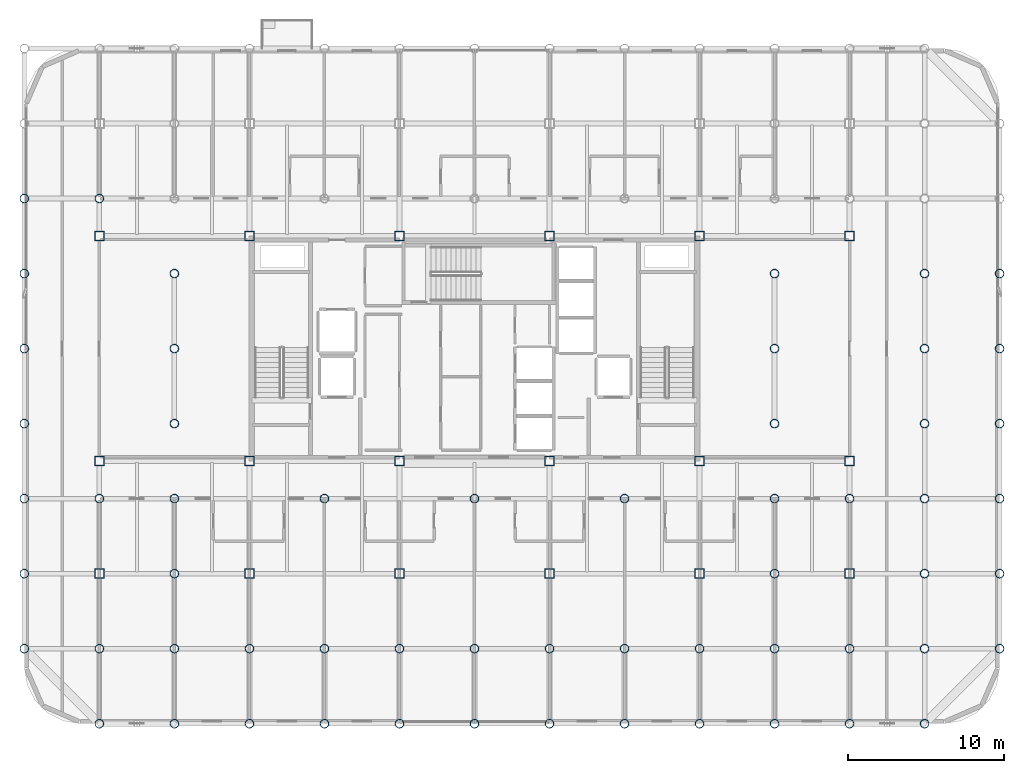
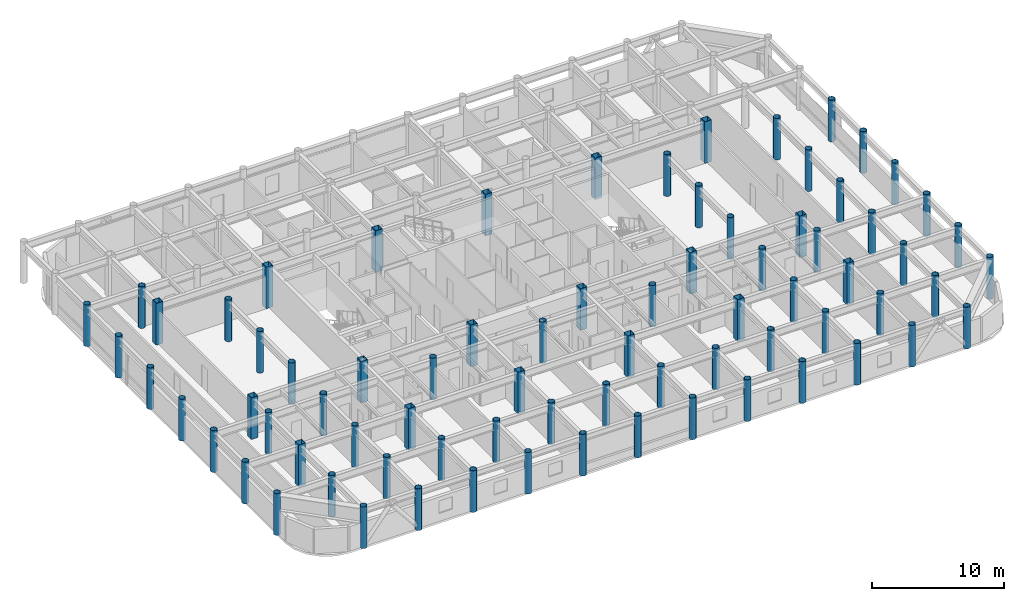
# One storey, part 1 of 23: 76 columns.
"""IFC4 building model written with IfcOpenShell, lengths in metres."""

from ifc_helpers import new_model, si_unit, direction, frame, origin, origin_2d, place, context, subcontext, project, spatial, hollow_rectangle, hollow_circle, extrude, material, material_profile, profile_set, type_object, element, save


model = new_model("IFC4")

# Units and contexts
model_context = context("Model", 3, precision=1e-05, world=origin(), true_north=direction((0.0, 1.0)))
body_context = subcontext(model_context, "Body", "Model", "MODEL_VIEW")
ifc_project = project(units=[si_unit("LENGTHUNIT", "METRE"), si_unit("AREAUNIT", "SQUARE_METRE"), si_unit("VOLUMEUNIT", "CUBIC_METRE"), si_unit("PLANEANGLEUNIT", "RADIAN"), si_unit("MASSUNIT", "GRAM", prefix="KILO")], contexts=[model_context])

# Site, building, storey
site_placement = place(None, origin())
site = spatial("IfcSite", under=ifc_project, at=site_placement, CompositionType="ELEMENT")
building_placement = place(site_placement, origin())
building = spatial("IfcBuilding", under=site, at=building_placement, Name="Kallvorn Hotel Tower", CompositionType="ELEMENT")
storey_placement = place(building_placement, frame((0.0, 0.0, 195.35009765625)))
storey = spatial("IfcBuildingStorey", under=building, at=storey_placement, Name="L48", CompositionType="ELEMENT", Elevation=195.35009765625)

# Columns
ifc_material_1 = material(Name="Structural steel S355J2H", Category="steel")
ifc_material_profile_1 = material_profile(ifc_material_1, hollow_circle(Radius=0.279541015625, WallThickness=0.02490234375, at=origin_2d()), Name="CHS 559x25")
ifc_profile_set_1 = profile_set([ifc_material_profile_1], Name="Structural steel S355J2H")
column_type_1 = type_object("IfcColumnType", Name="COL_CHS_559", PredefinedType="COLUMN", material=ifc_profile_set_1)
for number, where, z_axis, x_axis, name in (
    (1, (-28.800048828125, -19.199951171875, 0.0), (0.0, 0.0, 1.0), (1.0, 0.0, 0.0), "L48 Exoskeleton Column EC01"),
    (2, (-28.800048828125, -14.39990234375, 0.0), (0.0, 0.0, 1.0), (1.0, 0.0, 0.0), "L48 Exoskeleton Column EC02"),
    (3, (-28.800048828125, -9.60009765625, 0.0), (0.0, 0.0, 1.0), (1.0, 0.0, 0.0), "L48 Exoskeleton Column EC03"),
    (4, (-28.800048828125, -4.800048828125, 0.0), (0.0, 0.0, 1.0), (1.0, 0.0, 0.0), "L48 Exoskeleton Column EC04"),
    (5, (-28.800048828125, 0.0, 0.0), (0.0, 0.0, 1.0), (1.0, 0.0, 0.0), "L48 Exoskeleton Column EC05"),
    (6, (-28.800048828125, 4.800048828125, 0.0), (0.0, 0.0, 1.0), (1.0, 0.0, 0.0), "L48 Exoskeleton Column EC06"),
    (7, (-28.800048828125, 9.60009765625, 0.0), (0.0, 0.0, 1.0), (1.0, 0.0, 0.0), "L48 Exoskeleton Column EC07"),
    (8, (-24.0, -24.0, 0.0), (0.0, 0.0, 1.0), (1.0, 0.0, 0.0), "L48 Exoskeleton Column EC10"),
    (9, (-24.0, -19.199951171875, 0.0), (0.0, 0.0, 1.0), (1.0, 0.0, 0.0), "L48 Exoskeleton Column EC11"),
    (10, (-24.0, -9.60009765625, 0.0), (0.0, 0.0, 1.0), (1.0, 0.0, 0.0), "L48 Exoskeleton Column EC12"),
    (11, (-24.0, 9.60009765625, 0.0), (0.0, 0.0, 1.0), (1.0, 0.0, 0.0), "L48 Exoskeleton Column EC13"),
    (12, (-19.199951171875, -24.0, 0.0), (0.0, 0.0, 1.0), (1.0, 0.0, 0.0), "L48 Exoskeleton Column EC15"),
    (13, (-19.199951171875, -19.199951171875, 0.0), (0.0, 0.0, 1.0), (1.0, 0.0, 0.0), "L48 Exoskeleton Column EC16"),
    (14, (-19.199951171875, -14.39990234375, 0.0), (0.0, 0.0, 1.0), (1.0, 0.0, 0.0), "L48 Exoskeleton Column EC17"),
    (15, (-19.199951171875, -9.60009765625, 0.0), (0.0, 0.0, 1.0), (1.0, 0.0, 0.0), "L48 Exoskeleton Column EC18"),
    (16, (-19.199951171875, -4.800048828125, 0.0), (0.0, 0.0, 1.0), (1.0, 0.0, 0.0), "L48 Exoskeleton Column EC19"),
    (17, (-19.199951171875, 0.0, 0.0), (0.0, 0.0, 1.0), (1.0, 0.0, 0.0), "L48 Exoskeleton Column EC20"),
    (18, (-19.199951171875, 4.800048828125, 0.0), (0.0, 0.0, 1.0), (1.0, 0.0, 0.0), "L48 Exoskeleton Column EC21"),
    (19, (-14.39990234375, -24.0, 0.0), (0.0, 0.0, 1.0), (1.0, 0.0, 0.0), "L48 Exoskeleton Column EC25"),
    (20, (-14.39990234375, -19.199951171875, 0.0), (0.0, 0.0, 1.0), (1.0, 0.0, 0.0), "L48 Exoskeleton Column EC26"),
    (21, (-9.60009765625, -24.0, 0.0), (0.0, 0.0, 1.0), (1.0, 0.0, 0.0), "L48 Exoskeleton Column EC28"),
    (22, (-9.60009765625, -19.199951171875, 0.0), (0.0, 0.0, 1.0), (1.0, 0.0, 0.0), "L48 Exoskeleton Column EC29"),
    (23, (-9.60009765625, -9.60009765625, 0.0), (0.0, 0.0, 1.0), (1.0, 0.0, 0.0), "L48 Exoskeleton Column EC30"),
    (24, (-4.800048828125, -24.0, 0.0), (0.0, 0.0, 1.0), (1.0, 0.0, 0.0), "L48 Exoskeleton Column EC33"),
    (25, (-4.800048828125, -19.199951171875, 0.0), (0.0, 0.0, 1.0), (1.0, 0.0, 0.0), "L48 Exoskeleton Column EC34"),
    (26, (0.0, -24.0, 0.0), (0.0, 0.0, 1.0), (1.0, 0.0, 0.0), "L48 Exoskeleton Column EC36"),
    (27, (0.0, -19.199951171875, 0.0), (0.0, 0.0, 1.0), (1.0, 0.0, 0.0), "L48 Exoskeleton Column EC37"),
    (28, (0.0, -9.60009765625, 0.0), (0.0, 0.0, 1.0), (1.0, 0.0, 0.0), "L48 Exoskeleton Column EC38"),
    (29, (4.800048828125, -24.0, 0.0), (0.0, 0.0, 1.0), (1.0, 0.0, 0.0), "L48 Exoskeleton Column EC41"),
    (30, (4.800048828125, -19.199951171875, 0.0), (0.0, 0.0, 1.0), (1.0, 0.0, 0.0), "L48 Exoskeleton Column EC42"),
    (31, (9.60009765625, -24.0, 0.0), (0.0, 0.0, 1.0), (1.0, 0.0, 0.0), "L48 Exoskeleton Column EC44"),
    (32, (9.60009765625, -19.199951171875, 0.0), (0.0, 0.0, 1.0), (1.0, 0.0, 0.0), "L48 Exoskeleton Column EC45"),
    (33, (9.60009765625, -9.60009765625, 0.0), (0.0, 0.0, 1.0), (1.0, 0.0, 0.0), "L48 Exoskeleton Column EC46"),
    (34, (14.39990234375, -24.0, 0.0), (0.0, 0.0, 1.0), (1.0, 0.0, 0.0), "L48 Exoskeleton Column EC49"),
    (35, (14.39990234375, -19.199951171875, 0.0), (0.0, 0.0, 1.0), (1.0, 0.0, 0.0), "L48 Exoskeleton Column EC50"),
    (36, (19.199951171875, -24.0, 0.0), (0.0, 0.0, 1.0), (1.0, 0.0, 0.0), "L48 Exoskeleton Column EC52"),
    (37, (19.199951171875, -19.199951171875, 0.0), (0.0, 0.0, 1.0), (1.0, 0.0, 0.0), "L48 Exoskeleton Column EC53"),
    (38, (19.199951171875, -14.39990234375, 0.0), (0.0, 0.0, 1.0), (1.0, 0.0, 0.0), "L48 Exoskeleton Column EC54"),
    (39, (19.199951171875, -9.60009765625, 0.0), (0.0, 0.0, 1.0), (1.0, 0.0, 0.0), "L48 Exoskeleton Column EC55"),
    (40, (19.199951171875, -4.800048828125, 0.0), (0.0, 0.0, 1.0), (1.0, 0.0, 0.0), "L48 Exoskeleton Column EC56"),
    (41, (19.199951171875, 0.0, 0.0), (0.0, 0.0, 1.0), (1.0, 0.0, 0.0), "L48 Exoskeleton Column EC57"),
    (42, (19.199951171875, 4.800048828125, 0.0), (0.0, 0.0, 1.0), (1.0, 0.0, 0.0), "L48 Exoskeleton Column EC58"),
    (43, (24.0, -24.0, 0.0), (0.0, 0.0, 1.0), (1.0, 0.0, 0.0), "L48 Exoskeleton Column EC62"),
    (44, (24.0, -19.199951171875, 0.0), (0.0, 0.0, 1.0), (1.0, 0.0, 0.0), "L48 Exoskeleton Column EC63"),
    (45, (24.0, -9.60009765625, 0.0), (0.0, 0.0, 1.0), (1.0, 0.0, 0.0), "L48 Exoskeleton Column EC64"),
    (46, (28.800048828125, -24.0, 0.0), (0.0, 0.0, 1.0), (1.0, 0.0, 0.0), "L48 Exoskeleton Column EC67"),
    (47, (28.800048828125, -19.199951171875, 0.0), (0.0, 0.0, 1.0), (1.0, 0.0, 0.0), "L48 Exoskeleton Column EC68"),
    (48, (28.800048828125, -14.39990234375, 0.0), (0.0, 0.0, 1.0), (1.0, 0.0, 0.0), "L48 Exoskeleton Column EC69"),
    (49, (28.800048828125, -9.60009765625, 0.0), (0.0, 0.0, 1.0), (1.0, 0.0, 0.0), "L48 Exoskeleton Column EC70"),
    (50, (28.800048828125, -4.800048828125, 0.0), (0.0, 0.0, 1.0), (1.0, 0.0, 0.0), "L48 Exoskeleton Column EC71"),
    (51, (28.800048828125, 0.0, 0.0), (0.0, 0.0, 1.0), (1.0, 0.0, 0.0), "L48 Exoskeleton Column EC72"),
    (52, (28.800048828125, 4.800048828125, 0.0), (0.0, 0.0, 1.0), (1.0, 0.0, 0.0), "L48 Exoskeleton Column EC73"),
    (53, (33.60009765625, -19.199951171875, 0.0), (0.0, 0.0, 1.0), (1.0, 0.0, 0.0), "L48 Exoskeleton Column EC77"),
    (54, (33.60009765625, -14.39990234375, 0.0), (0.0, 0.0, 1.0), (1.0, 0.0, 0.0), "L48 Exoskeleton Column EC78"),
    (55, (33.60009765625, -9.60009765625, 0.0), (0.0, 0.0, 1.0), (1.0, 0.0, 0.0), "L48 Exoskeleton Column EC79"),
    (56, (33.60009765625, -4.800048828125, 0.0), (0.0, 0.0, 1.0), (1.0, 0.0, 0.0), "L48 Exoskeleton Column EC80"),
    (57, (33.60009765625, 0.0, 0.0), (0.0, 0.0, 1.0), (1.0, 0.0, 0.0), "L48 Exoskeleton Column EC81"),
    (58, (33.60009765625, 4.800048828125, 0.0), (0.0, 0.0, 1.0), (1.0, 0.0, 0.0), "L48 Exoskeleton Column EC82"),
):
    element("IfcColumn", number, at=place(storey_placement, frame(where, z_axis=z_axis, x_axis=x_axis)), inside=storey, type_object=column_type_1, Name=name, PredefinedType="COLUMN", context=body_context, shape_type="SweptSolid", body=[
        extrude(hollow_circle(Radius=0.279541015625, WallThickness=0.02490234375, at=origin_2d()), origin(), (0.0, 0.0, 1.0), 3.849853515625),
    ])
ifc_material_2 = material(Name="Structural steel S355J2H", Category="steel")
ifc_material_profile_2 = material_profile(ifc_material_2, hollow_rectangle(XDim=0.60009765625, YDim=0.60009765625, WallThickness=0.028076171875, at=origin_2d()), Name="RHS 600x600x28")
ifc_profile_set_2 = profile_set([ifc_material_profile_2], Name="Structural steel S355J2H")
column_type_2 = type_object("IfcColumnType", Name="COL_RHS_600", PredefinedType="COLUMN", material=ifc_profile_set_2)
for number, where, z_axis, x_axis, name in (
    (59, (-24.0, -14.39990234375, 0.0), (0.0, 0.0, 1.0), (1.0, 0.0, 0.0), "L48 Inner Column IC01"),
    (60, (-24.0, -7.199951171875, 0.0), (0.0, 0.0, 1.0), (1.0, 0.0, 0.0), "L48 Inner Column IC02"),
    (61, (-24.0, 7.199951171875, 0.0), (0.0, 0.0, 1.0), (1.0, 0.0, 0.0), "L48 Inner Column IC03"),
    (62, (-14.39990234375, -14.39990234375, 0.0), (0.0, 0.0, 1.0), (1.0, 0.0, 0.0), "L48 Inner Column IC05"),
    (63, (-14.39990234375, -7.199951171875, 0.0), (0.0, 0.0, 1.0), (1.0, 0.0, 0.0), "L48 Inner Column IC06"),
    (64, (-14.39990234375, 7.199951171875, 0.0), (0.0, 0.0, 1.0), (1.0, 0.0, 0.0), "L48 Inner Column IC07"),
    (65, (-4.800048828125, -14.39990234375, 0.0), (0.0, 0.0, 1.0), (1.0, 0.0, 0.0), "L48 Inner Column IC09"),
    (66, (-4.800048828125, -7.199951171875, 0.0), (0.0, 0.0, 1.0), (1.0, 0.0, 0.0), "L48 Inner Column IC10"),
    (67, (-4.800048828125, 7.199951171875, 0.0), (0.0, 0.0, 1.0), (1.0, 0.0, 0.0), "L48 Inner Column IC11"),
    (68, (4.800048828125, -14.39990234375, 0.0), (0.0, 0.0, 1.0), (1.0, 0.0, 0.0), "L48 Inner Column IC13"),
    (69, (4.800048828125, -7.199951171875, 0.0), (0.0, 0.0, 1.0), (1.0, 0.0, 0.0), "L48 Inner Column IC14"),
    (70, (4.800048828125, 7.199951171875, 0.0), (0.0, 0.0, 1.0), (1.0, 0.0, 0.0), "L48 Inner Column IC15"),
    (71, (14.39990234375, -14.39990234375, 0.0), (0.0, 0.0, 1.0), (1.0, 0.0, 0.0), "L48 Inner Column IC17"),
    (72, (14.39990234375, -7.199951171875, 0.0), (0.0, 0.0, 1.0), (1.0, 0.0, 0.0), "L48 Inner Column IC18"),
    (73, (14.39990234375, 7.199951171875, 0.0), (0.0, 0.0, 1.0), (1.0, 0.0, 0.0), "L48 Inner Column IC19"),
    (74, (24.0, -14.39990234375, 0.0), (0.0, 0.0, 1.0), (1.0, 0.0, 0.0), "L48 Inner Column IC21"),
    (75, (24.0, -7.199951171875, 0.0), (0.0, 0.0, 1.0), (1.0, 0.0, 0.0), "L48 Inner Column IC22"),
    (76, (24.0, 7.199951171875, 0.0), (0.0, 0.0, 1.0), (1.0, 0.0, 0.0), "L48 Inner Column IC23"),
):
    element("IfcColumn", number, at=place(storey_placement, frame(where, z_axis=z_axis, x_axis=x_axis)), inside=storey, type_object=column_type_2, Name=name, PredefinedType="COLUMN", context=body_context, shape_type="SweptSolid", body=[
        extrude(hollow_rectangle(XDim=0.60009765625, YDim=0.60009765625, WallThickness=0.028076171875, at=origin_2d()), origin(), (0.0, 0.0, 1.0), 3.849853515625),
    ])

save(model, "model.ifc")
